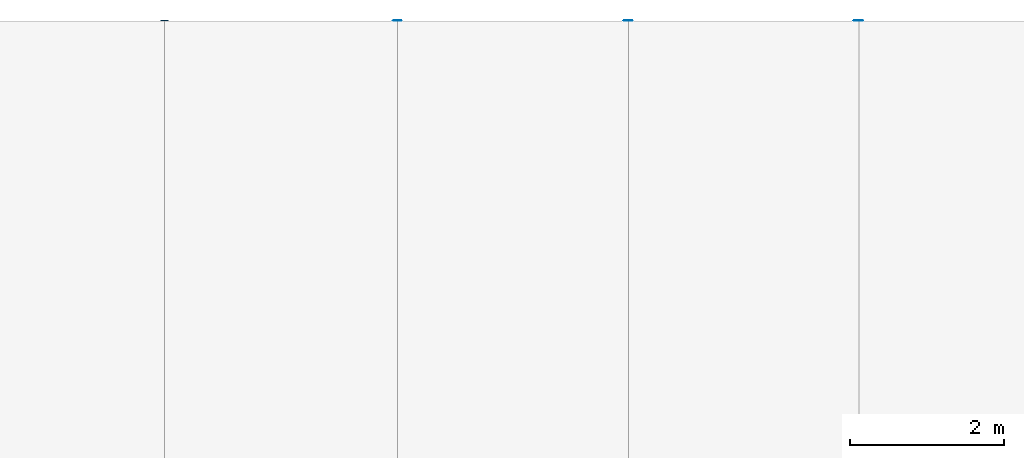
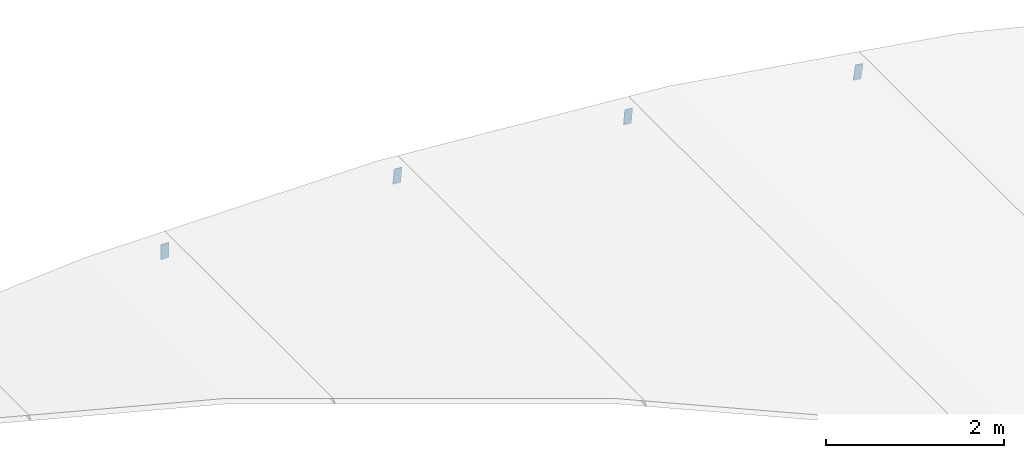
# One storey, part 11 of 13: 4 discrete accessories.
"""IFC4 building model written with IfcOpenShell, lengths in metres."""

from ifc_helpers import new_model, si_unit, direction, frame, origin, origin_2d, place, context, subcontext, project, spatial, rectangle, extrude, material, material_profile, profile_set, type_object, element, save


model = new_model("IFC4")

# Units and contexts
model_context = context("Model", 3, precision=1e-05, world=origin(), true_north=direction((0.0, 1.0)))
body_context = subcontext(model_context, "Body", "Model", "MODEL_VIEW")
ifc_project = project(units=[si_unit("LENGTHUNIT", "METRE"), si_unit("AREAUNIT", "SQUARE_METRE"), si_unit("VOLUMEUNIT", "CUBIC_METRE"), si_unit("PLANEANGLEUNIT", "RADIAN"), si_unit("MASSUNIT", "GRAM", prefix="KILO")], contexts=[model_context])

# Site, building, storey
site_placement = place(None, origin())
site = spatial("IfcSite", under=ifc_project, at=site_placement, CompositionType="ELEMENT")
building_placement = place(site_placement, origin())
building = spatial("IfcBuilding", under=site, at=building_placement, Name="Verrick Yard Athletic Hall", CompositionType="ELEMENT")
storey_placement = place(building_placement, frame((0.0, 0.0, 21.5)))
storey = spatial("IfcBuildingStorey", under=building, at=storey_placement, Name="Upper Roof", CompositionType="ELEMENT", Elevation=21.5)

# Discrete accessories
ifc_material = material(Name="Structural steel 350W (CSA G40.21)", Category="steel")
ifc_material_profile = material_profile(ifc_material, rectangle(XDim=0.1015625, YDim=0.203125, at=origin_2d()), Name="STR End cap plate 203x102x9.5")
ifc_profile_set = profile_set([ifc_material_profile], Name="Structural steel 350W (CSA G40.21)")
discrete_accessory_type = type_object("IfcDiscreteAccessoryType", Name="STR End cap plate 203x102x9.5", PredefinedType="BRACKET", material=ifc_profile_set)
for number, where, z_axis, x_axis, name in (
    (1, (153.7529296875, 108.0, 0.758544921875), (0.0, 1.0, 0.0), (-0.987728086354, 0.0, 0.156183313539), "End cap HB-PU-A-5-12 B"),
    (2, (150.767578125, 108.0, 1.19140625), (0.0, 1.0, 0.0), (-0.996927304266, 0.0, 0.078332305011), "End cap HB-PU-A-5-11 B"),
    (3, (144.759765625, 108.0, 1.448974609375), (0.0, 1.0, 0.0), (-1.0, 0.0, 0.0), "End cap HB-PU-A-5-9 B"),
    (4, (147.77685546875, 108.0, 1.42626953125), (0.0, 1.0, 0.0), (-0.996927304266, 0.0, 0.078332305011), "End cap HB-PU-A-5-10 B"),
):
    element("IfcDiscreteAccessory", number, at=place(storey_placement, frame(where, z_axis=z_axis, x_axis=x_axis)), inside=storey, type_object=discrete_accessory_type, Name=name, PredefinedType="BRACKET", context=body_context, shape_type="SweptSolid", body=[
        extrude(rectangle(XDim=0.1015625, YDim=0.203125, at=origin_2d()), origin(), (0.0, 0.0, 1.0), 0.010009765625),
    ])

save(model, "model.ifc")
